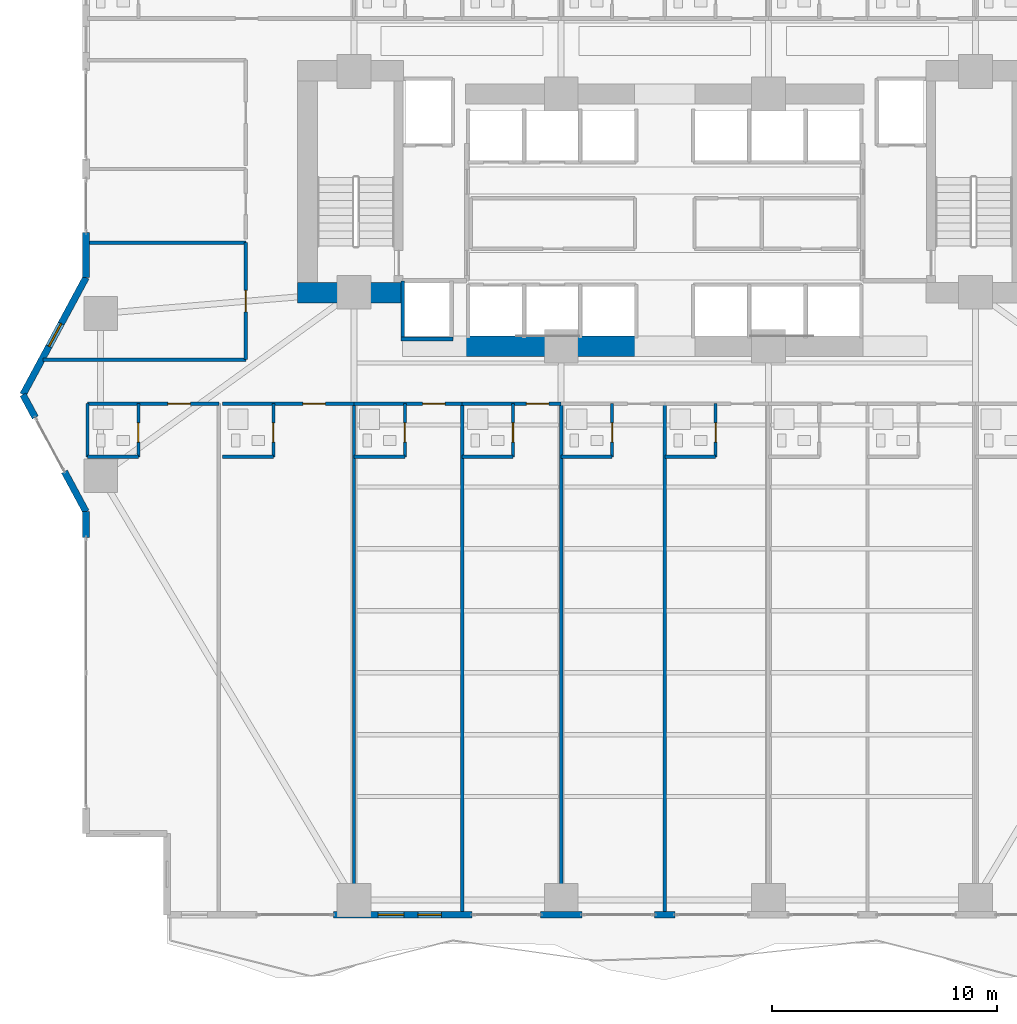
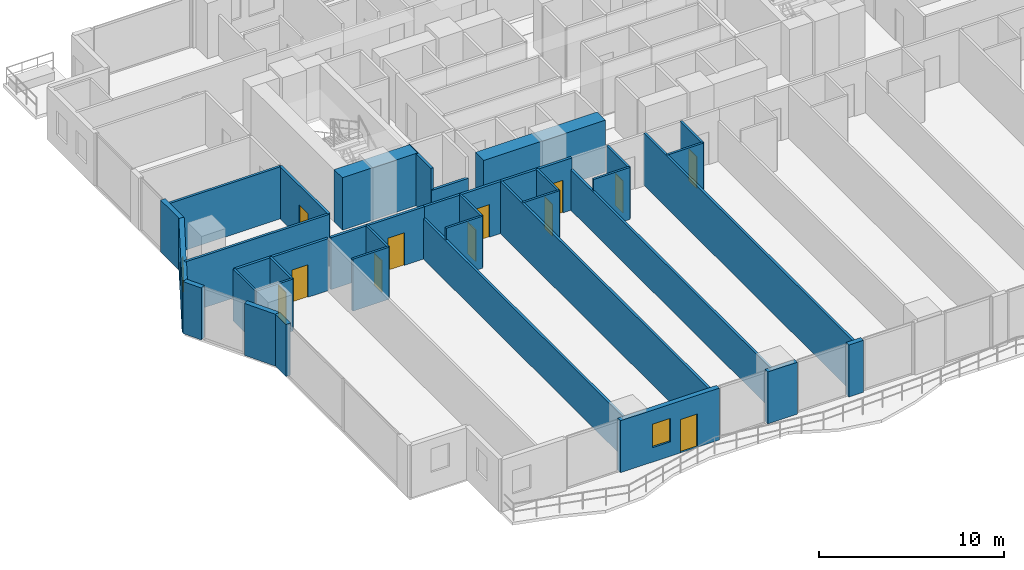
# One storey, part 19 of 29: 36 walls, 12 doors, 2 windows, 14 openings.
"""IFC4 building model written with IfcOpenShell, lengths in metres."""

from ifc_helpers import new_model, si_unit, direction, frame, frame_2d, origin, place, context, subcontext, project, spatial, rectangle, extrude, material, layer, layer_set, type_object, element, fill, save


model = new_model("IFC4")

# Units and contexts
model_context = context("Model", 3, precision=1e-05, world=origin(), true_north=direction((0.0, 1.0)))
body_context = subcontext(model_context, "Body", "Model", "MODEL_VIEW")
ifc_project = project(units=[si_unit("LENGTHUNIT", "METRE"), si_unit("AREAUNIT", "SQUARE_METRE"), si_unit("VOLUMEUNIT", "CUBIC_METRE"), si_unit("PLANEANGLEUNIT", "RADIAN"), si_unit("MASSUNIT", "GRAM", prefix="KILO")], contexts=[model_context])

# Site, building, storey
site_placement = place(None, origin())
site = spatial("IfcSite", under=ifc_project, at=site_placement, CompositionType="ELEMENT")
building_placement = place(site_placement, origin())
building = spatial("IfcBuilding", under=site, at=building_placement, Name="Zuhayl Quay Hotel", CompositionType="ELEMENT")
storey_placement = place(building_placement, frame((0.0, 0.0, 60.449951171875)))
storey = spatial("IfcBuildingStorey", under=building, at=storey_placement, Name="L14", CompositionType="ELEMENT", Elevation=60.449951171875)

# Walls
ifc_material_1 = material(Name="Concrete C70/85", Category="concrete")
ifc_layer_1 = layer(ifc_material_1, 0.89990234375, Name="Concrete C70/85", Category="concrete")
ifc_layer_set_1 = layer_set([ifc_layer_1], Name="Concrete C70/85")
wall_type_1 = type_object("IfcWallType", Name="WL_CORE_900", PredefinedType="SHEAR", material=ifc_layer_set_1)
wall_1_placement = place(storey_placement, frame((-16.31005859375, 4.52001953125, 0.0), z_axis=(0.0, 0.0, 1.0), x_axis=(1.0, 0.0, 0.0)))
element("IfcWall", 1, at=wall_1_placement, inside=storey, type_object=wall_type_1, Name="L14 Core Shear Wall CW_SW", PredefinedType="SHEAR", context=body_context, shape_type="SweptSolid", body=[
    extrude(rectangle(XDim=4.7099609375, YDim=0.89990234375, at=frame_2d((2.35498046875, 0.0))), origin(), (0.0, 0.0, 1.0), 3.4599609375),
])
wall_2_placement = place(storey_placement, frame((-8.85009765625, 2.14990234375, 0.0), z_axis=(0.0, 0.0, 1.0), x_axis=(1.0, 0.0, 0.0)))
element("IfcWall", 2, at=wall_2_placement, inside=storey, type_object=wall_type_1, Name="L14 Core Shear Wall CW_SC_W", PredefinedType="SHEAR", context=body_context, shape_type="SweptSolid", body=[
    extrude(rectangle(XDim=7.60009765625, YDim=0.89990234375, at=frame_2d((3.800048828125, 0.0))), origin(), (0.0, 0.0, 1.0), 3.429931640625),
])
ifc_material_2 = material(Name="Precast concrete C45/55", Category="concrete")
ifc_layer_2 = layer(ifc_material_2, 0.300048828125, Name="Precast concrete C45/55", Category="concrete")
ifc_layer_set_2 = layer_set([ifc_layer_2], Name="Precast concrete C45/55")
wall_type_2 = type_object("IfcWallType", Name="WL_EXT_300", PredefinedType="STANDARD", material=ifc_layer_set_2)
wall_3_placement = place(storey_placement, frame((-25.699951171875, -6.35009765625, 0.0), z_axis=(0.0, 0.0, 1.0), x_axis=(0.0, 1.0, 0.0)))
element("IfcWall", 3, at=wall_3_placement, inside=storey, type_object=wall_type_2, Name="L14 Exterior Precast Wall ENV_L14_E02_EW2", PredefinedType="STANDARD", context=body_context, shape_type="SweptSolid", body=[
    extrude(rectangle(XDim=1.150146484375, YDim=0.300048828125, at=frame_2d((0.5751953125, 0.0))), origin(), (0.0, 0.0, 1.0), 3.429931640625),
])
wall_4_placement = place(storey_placement, frame((-25.699951171875, -5.199951171875, 0.0), z_axis=(0.0, 0.0, 1.0), x_axis=(-0.474121438562, 0.88045946045, 0.0)))
element("IfcWall", 4, at=wall_4_placement, inside=storey, type_object=wall_type_2, Name="L14 Exterior Precast Wall ENV_L14_E03_EW1", PredefinedType="STANDARD", context=body_context, shape_type="SweptSolid", body=[
    extrude(rectangle(XDim=2.0205078125, YDim=0.300048828125, at=frame_2d((1.01025390625, 0.0))), origin(), (0.0, 0.0, 1.0), 3.429931640625),
])
wall_5_placement = place(storey_placement, frame((-27.954833984375, -1.012451171875, 0.0), z_axis=(0.0, 0.0, 1.0), x_axis=(-0.474099823035, 0.880471099922, 0.0)))
element("IfcWall", 5, at=wall_5_placement, inside=storey, type_object=wall_type_2, Name="L14 Exterior Precast Wall ENV_L14_E03_EW2", PredefinedType="STANDARD", context=body_context, shape_type="SweptSolid", body=[
    extrude(rectangle(XDim=1.14990234375, YDim=0.300048828125, at=frame_2d((0.574951171875, 0.0))), origin(), (0.0, 0.0, 1.0), 3.429931640625),
])

# Wall, opening, window
wall_6_placement = place(storey_placement, frame((-28.5, 0.0, 0.0), z_axis=(0.0, 0.0, 1.0), x_axis=(0.474109683532, 0.880465790352, 0.0)))
wall_6 = element("IfcWall", 6, at=wall_6_placement, inside=storey, type_object=wall_type_2, Name="L14 Exterior Precast Wall ENV_L14_E04_EW1", PredefinedType="STANDARD", context=body_context, shape_type="SweptSolid", body=[
    extrude(rectangle(XDim=5.906005859375, YDim=0.300048828125, at=frame_2d((2.953125, 0.0))), origin(), (0.0, 0.0, 1.0), 3.429931640625),
])
opening_1_placement = place(wall_6_placement, frame((2.43212890625, 0.0, 0.949951171875)))
opening_1 = element("IfcOpeningElement", 7, at=opening_1_placement, cuts=wall_6, Name="Opening W01N", PredefinedType="OPENING", context=body_context, shape_type="SweptSolid", body=[
    extrude(rectangle(XDim=1.14990234375, YDim=1.550048828125, at=frame_2d((0.574951171875, 0.77490234375))), frame((0.0, 0.159912109375, 0.0), z_axis=(0.0, -1.0, 0.0), x_axis=(1.0, 0.0, 0.0)), (0.0, 0.0, 1.0), 0.320068359375),
])
ifc_material_3 = material(Name="Dark Ceramic-Fritted Solar Glass", Category="glass")
window_type = type_object("IfcWindowType", Name="WN_NOTCH_1350", PartitioningType="SINGLE_PANEL", PredefinedType="WINDOW", material=ifc_material_3)
window_1_placement = place(opening_1_placement, origin())
window_1 = element("IfcWindow", 8, at=window_1_placement, inside=storey, type_object=window_type, Name="L14 Operable Facade Window 1-1", OverallHeight=1.550048828125, OverallWidth=1.14990234375, PartitioningType="SINGLE_PANEL", PredefinedType="WINDOW", context=body_context, shape_type="SweptSolid", body=[
    extrude(rectangle(XDim=1.14990234375, YDim=1.550048828125, at=frame_2d((0.574951171875, 0.77490234375))), frame((0.0, 0.030029296875, 0.0), z_axis=(0.0, -1.0, 0.0), x_axis=(1.0, 0.0, 0.0)), (0.0, 0.0, 1.0), 0.06005859375),
])
fill(opening_1, window_1)

# Walls
wall_7_placement = place(storey_placement, frame((-25.699951171875, 5.199951171875, 0.0), z_axis=(0.0, 0.0, 1.0), x_axis=(0.0, 1.0, 0.0)))
element("IfcWall", 9, at=wall_7_placement, inside=storey, type_object=wall_type_2, Name="L14 Exterior Precast Wall ENV_L14_E05_EW1", PredefinedType="STANDARD", context=body_context, shape_type="SweptSolid", body=[
    extrude(rectangle(XDim=2.0, YDim=0.300048828125, at=frame_2d((1.0, 0.0))), origin(), (0.0, 0.0, 1.0), 3.429931640625),
])
wall_8_placement = place(storey_placement, frame((0.449951171875, -23.10009765625, 0.0), z_axis=(0.0, 0.0, 1.0), x_axis=(-1.0, 0.0, 0.0)))
element("IfcWall", 10, at=wall_8_placement, inside=storey, type_object=wall_type_2, Name="L14 Exterior Precast Wall ENV_L14_S_EW5", PredefinedType="STANDARD", context=body_context, shape_type="SweptSolid", body=[
    extrude(rectangle(XDim=0.89990234375, YDim=0.300048828125, at=frame_2d((0.449951171875, 0.0))), origin(), (0.0, 0.0, 1.0), 3.429931640625),
])
wall_9_placement = place(storey_placement, frame((-3.679931640625, -23.10009765625, 0.0), z_axis=(0.0, 0.0, 1.0), x_axis=(-1.0, 0.0, 0.0)))
element("IfcWall", 11, at=wall_9_placement, inside=storey, type_object=wall_type_2, Name="L14 Exterior Precast Wall ENV_L14_S_EW6", PredefinedType="STANDARD", context=body_context, shape_type="SweptSolid", body=[
    extrude(rectangle(XDim=1.840087890625, YDim=0.300048828125, at=frame_2d((0.919921875, 0.0))), origin(), (0.0, 0.0, 1.0), 3.429931640625),
])

# Wall, openings, door, window
wall_10_placement = place(storey_placement, frame((-8.550048828125, -23.10009765625, 0.0), z_axis=(0.0, 0.0, 1.0), x_axis=(-1.0, 0.0, 0.0)))
wall_10 = element("IfcWall", 12, at=wall_10_placement, inside=storey, type_object=wall_type_2, Name="L14 Exterior Precast Wall ENV_L14_S_EW7", PredefinedType="STANDARD", context=body_context, shape_type="SweptSolid", body=[
    extrude(rectangle(XDim=6.169921875, YDim=0.300048828125, at=frame_2d((3.0849609375, 0.0))), origin(), (0.0, 0.0, 1.0), 3.429931640625),
])
opening_2_placement = place(wall_10_placement, frame((1.364990234375, 0.0, 0.0)))
opening_2 = element("IfcOpeningElement", 13, at=opening_2_placement, cuts=wall_10, Name="Opening DG1", PredefinedType="OPENING", context=body_context, shape_type="SweptSolid", body=[
    extrude(rectangle(XDim=1.050048828125, YDim=2.199951171875, at=frame_2d((0.52490234375, 1.10009765625))), frame((0.0, 0.159912109375, 0.0), z_axis=(0.0, -1.0, 0.0), x_axis=(1.0, 0.0, 0.0)), (0.0, 0.0, 1.0), 0.320068359375),
])
opening_3_placement = place(wall_10_placement, frame((3.032470703125, 0.0, 0.949951171875)))
opening_3 = element("IfcOpeningElement", 14, at=opening_3_placement, cuts=wall_10, Name="Opening W01N", PredefinedType="OPENING", context=body_context, shape_type="SweptSolid", body=[
    extrude(rectangle(XDim=1.14990234375, YDim=1.550048828125, at=frame_2d((0.574951171875, 0.77490234375))), frame((0.0, 0.159912109375, 0.0), z_axis=(0.0, -1.0, 0.0), x_axis=(1.0, 0.0, 0.0)), (0.0, 0.0, 1.0), 0.320068359375),
])
ifc_material_4 = material(Name="Anodised Aluminium and Dark Solar Glass", Category="aluminium")
door_type_1 = type_object("IfcDoorType", Name="DR_EXT_TERR_1050", OperationType="NOTDEFINED", PredefinedType="DOOR", material=ifc_material_4)
door_1_placement = place(opening_2_placement, origin())
door_1 = element("IfcDoor", 15, at=door_1_placement, inside=storey, type_object=door_type_1, Name="L14 South Rippling Balcony Door", OperationType="SINGLE_SWING_RIGHT", OverallHeight=2.199951171875, OverallWidth=1.050048828125, PredefinedType="DOOR", context=body_context, shape_type="SweptSolid", body=[
    extrude(rectangle(XDim=1.050048828125, YDim=2.199951171875, at=frame_2d((0.52490234375, 1.10009765625))), frame((0.0, 0.02490234375, 0.0), z_axis=(0.0, -1.0, 0.0), x_axis=(1.0, 0.0, 0.0)), (0.0, 0.0, 1.0), 0.050048828125),
])
fill(opening_2, door_1)
window_2_placement = place(opening_3_placement, origin())
window_2 = element("IfcWindow", 16, at=window_2_placement, inside=storey, type_object=window_type, Name="L14 Operable Facade Window 7-1", OverallHeight=1.550048828125, OverallWidth=1.14990234375, PartitioningType="SINGLE_PANEL", PredefinedType="WINDOW", context=body_context, shape_type="SweptSolid", body=[
    extrude(rectangle(XDim=1.14990234375, YDim=1.550048828125, at=frame_2d((0.574951171875, 0.77490234375))), frame((0.0, 0.030029296875, 0.0), z_axis=(0.0, -1.0, 0.0), x_axis=(1.0, 0.0, 0.0)), (0.0, 0.0, 1.0), 0.06005859375),
])
fill(opening_3, window_2)

# Walls
ifc_material_5 = material(Name="Acoustic Gypsum Partition STC-58")
ifc_layer_3 = layer(ifc_material_5, 0.14990234375, Name="Acoustic Gypsum Partition STC-58")
ifc_layer_set_3 = layer_set([ifc_layer_3], Name="Acoustic Gypsum Partition STC-58")
wall_type_3 = type_object("IfcWallType", Name="WL_PART_150", PredefinedType="PARTITIONING", material=ifc_layer_set_3)
wall_11_placement = place(storey_placement, frame((-13.800048828125, -23.02001953125, 0.0), z_axis=(0.0, 0.0, 1.0), x_axis=(0.0, 1.0, 0.0)))
element("IfcWall", 17, at=wall_11_placement, inside=storey, type_object=wall_type_3, Name="L14 Partition IW_L14_SU01B_E", PredefinedType="PARTITIONING", context=body_context, shape_type="SweptSolid", body=[
    extrude(rectangle(XDim=22.6201171875, YDim=0.14990234375, at=frame_2d((11.31005859375, 0.0))), origin(), (0.0, 0.0, 1.0), 2.66796875),
])
wall_12_placement = place(storey_placement, frame((-9.0, -23.02001953125, 0.0), z_axis=(0.0, 0.0, 1.0), x_axis=(0.0, 1.0, 0.0)))
element("IfcWall", 18, at=wall_12_placement, inside=storey, type_object=wall_type_3, Name="L14 Partition IW_L14_SU02_E", PredefinedType="PARTITIONING", context=body_context, shape_type="SweptSolid", body=[
    extrude(rectangle(XDim=22.6201171875, YDim=0.14990234375, at=frame_2d((11.31005859375, 0.0))), origin(), (0.0, 0.0, 1.0), 3.429931640625),
])
wall_13_placement = place(storey_placement, frame((-4.60009765625, -23.02001953125, 0.0), z_axis=(0.0, 0.0, 1.0), x_axis=(0.0, 1.0, 0.0)))
element("IfcWall", 19, at=wall_13_placement, inside=storey, type_object=wall_type_3, Name="L14 Partition IW_L14_SU03_E", PredefinedType="PARTITIONING", context=body_context, shape_type="SweptSolid", body=[
    extrude(rectangle(XDim=22.6201171875, YDim=0.14990234375, at=frame_2d((11.31005859375, 0.0))), origin(), (0.0, 0.0, 1.0), 2.66796875),
])
wall_14_placement = place(storey_placement, frame((0.0, -23.02001953125, 0.0), z_axis=(0.0, 0.0, 1.0), x_axis=(0.0, 1.0, 0.0)))
element("IfcWall", 20, at=wall_14_placement, inside=storey, type_object=wall_type_3, Name="L14 Partition IW_L14_SU04_E", PredefinedType="PARTITIONING", context=body_context, shape_type="SweptSolid", body=[
    extrude(rectangle(XDim=22.6201171875, YDim=0.14990234375, at=frame_2d((11.31005859375, 0.0))), origin(), (0.0, 0.0, 1.0), 3.429931640625),
])
wall_15_placement = place(storey_placement, frame((-27.60546875, 1.550048828125, 0.0), z_axis=(0.0, 0.0, 1.0), x_axis=(1.0, 0.0, 0.0)))
element("IfcWall", 21, at=wall_15_placement, inside=storey, type_object=wall_type_3, Name="L14 Partition IW_L14_WPROW_1_S", PredefinedType="PARTITIONING", context=body_context, shape_type="SweptSolid", body=[
    extrude(rectangle(XDim=9.00537109375, YDim=0.14990234375, at=frame_2d((4.502685546875, 0.0))), origin(), (0.0, 0.0, 1.0), 3.429931640625),
])
wall_16_placement = place(storey_placement, frame((-25.639892578125, 6.75, 0.0), z_axis=(0.0, 0.0, 1.0), x_axis=(1.0, 0.0, 0.0)))
element("IfcWall", 22, at=wall_16_placement, inside=storey, type_object=wall_type_3, Name="L14 Partition IW_L14_WPROW_1_N", PredefinedType="PARTITIONING", context=body_context, shape_type="SweptSolid", body=[
    extrude(rectangle(XDim=7.039794921875, YDim=0.14990234375, at=frame_2d((3.52001953125, 0.0))), origin(), (0.0, 0.0, 1.0), 3.429931640625),
])

# Wall, opening, door
ifc_layer_4 = layer(ifc_material_5, 0.159912109375, Name="Acoustic Gypsum Partition STC-58")
ifc_layer_set_4 = layer_set([ifc_layer_4], Name="Acoustic Gypsum Partition STC-58")
wall_type_4 = type_object("IfcWallType", Name="WL_PART_CORR_160", PredefinedType="PARTITIONING", material=ifc_layer_set_4)
wall_17_placement = place(storey_placement, frame((-25.639892578125, -0.39990234375, 0.0), z_axis=(0.0, 0.0, 1.0), x_axis=(1.0, 0.0, 0.0)))
wall_17 = element("IfcWall", 23, at=wall_17_placement, inside=storey, type_object=wall_type_4, Name="L14 Partition IW_L14_SU01A_COR", PredefinedType="PARTITIONING", context=body_context, shape_type="SweptSolid", body=[
    extrude(rectangle(XDim=5.83984375, YDim=0.159912109375, at=frame_2d((2.919921875, 0.0))), origin(), (0.0, 0.0, 1.0), 3.429931640625),
])
opening_4_placement = place(wall_17_placement, frame((3.570068359375, 0.0, 0.0)))
opening_4 = element("IfcOpeningElement", 24, at=opening_4_placement, cuts=wall_17, Name="Opening D03L", PredefinedType="OPENING", context=body_context, shape_type="SweptSolid", body=[
    extrude(rectangle(XDim=1.0, YDim=2.14990234375, at=frame_2d((0.5, 1.074951171875))), frame((0.0, 0.08984375, 0.0), z_axis=(0.0, -1.0, 0.0), x_axis=(1.0, 0.0, 0.0)), (0.0, 0.0, 1.0), 0.179931640625),
])
ifc_material_6 = material(Name="Solid Walnut Acoustic Fire Door")
door_type_2 = type_object("IfcDoorType", Name="DR_SUITE_1000", OperationType="NOTDEFINED", PredefinedType="DOOR", material=ifc_material_6)
door_2_placement = place(opening_4_placement, origin())
door_2 = element("IfcDoor", 25, at=door_2_placement, inside=storey, type_object=door_type_2, Name="L14 Premier Twin Junior Suite L14-01A Entrance Door", OperationType="SINGLE_SWING_RIGHT", OverallHeight=2.14990234375, OverallWidth=1.0, PredefinedType="DOOR", context=body_context, shape_type="SweptSolid", body=[
    extrude(rectangle(XDim=1.0, YDim=2.14990234375, at=frame_2d((0.5, 1.074951171875))), frame((0.0, 0.02490234375, 0.0), z_axis=(0.0, -1.0, 0.0), x_axis=(1.0, 0.0, 0.0)), (0.0, 0.0, 1.0), 0.050048828125),
])
fill(opening_4, door_2)

wall_18_placement = place(storey_placement, frame((-19.639892578125, -0.39990234375, 0.0), z_axis=(0.0, 0.0, 1.0), x_axis=(1.0, 0.0, 0.0)))
wall_18 = element("IfcWall", 26, at=wall_18_placement, inside=storey, type_object=wall_type_4, Name="L14 Partition IW_L14_SU01B_COR", PredefinedType="PARTITIONING", context=body_context, shape_type="SweptSolid", body=[
    extrude(rectangle(XDim=5.83984375, YDim=0.159912109375, at=frame_2d((2.919921875, 0.0))), origin(), (0.0, 0.0, 1.0), 3.429931640625),
])
opening_5_placement = place(wall_18_placement, frame((3.570068359375, 0.0, 0.0)))
opening_5 = element("IfcOpeningElement", 27, at=opening_5_placement, cuts=wall_18, Name="Opening D03L", PredefinedType="OPENING", context=body_context, shape_type="SweptSolid", body=[
    extrude(rectangle(XDim=1.0, YDim=2.14990234375, at=frame_2d((0.5, 1.074951171875))), frame((0.0, 0.08984375, 0.0), z_axis=(0.0, -1.0, 0.0), x_axis=(1.0, 0.0, 0.0)), (0.0, 0.0, 1.0), 0.179931640625),
])
door_3_placement = place(opening_5_placement, origin())
door_3 = element("IfcDoor", 28, at=door_3_placement, inside=storey, type_object=door_type_2, Name="L14 Premier Twin Junior Suite L14-01B Entrance Door", OperationType="SINGLE_SWING_RIGHT", OverallHeight=2.14990234375, OverallWidth=1.0, PredefinedType="DOOR", context=body_context, shape_type="SweptSolid", body=[
    extrude(rectangle(XDim=1.0, YDim=2.14990234375, at=frame_2d((0.5, 1.074951171875))), frame((0.0, 0.02490234375, 0.0), z_axis=(0.0, -1.0, 0.0), x_axis=(1.0, 0.0, 0.0)), (0.0, 0.0, 1.0), 0.050048828125),
])
fill(opening_5, door_3)

wall_19_placement = place(storey_placement, frame((-13.800048828125, -0.39990234375, 0.0), z_axis=(0.0, 0.0, 1.0), x_axis=(1.0, 0.0, 0.0)))
wall_19 = element("IfcWall", 29, at=wall_19_placement, inside=storey, type_object=wall_type_4, Name="L14 Partition IW_L14_SU02_COR", PredefinedType="PARTITIONING", context=body_context, shape_type="SweptSolid", body=[
    extrude(rectangle(XDim=4.800048828125, YDim=0.159912109375, at=frame_2d((2.39990234375, 0.0))), origin(), (0.0, 0.0, 1.0), 3.429931640625),
])
opening_6_placement = place(wall_19_placement, frame((3.050048828125, 0.0, 0.0)))
opening_6 = element("IfcOpeningElement", 30, at=opening_6_placement, cuts=wall_19, Name="Opening D03L", PredefinedType="OPENING", context=body_context, shape_type="SweptSolid", body=[
    extrude(rectangle(XDim=1.0, YDim=2.14990234375, at=frame_2d((0.5, 1.074951171875))), frame((0.0, 0.08984375, 0.0), z_axis=(0.0, -1.0, 0.0), x_axis=(1.0, 0.0, 0.0)), (0.0, 0.0, 1.0), 0.179931640625),
])
door_4_placement = place(opening_6_placement, origin())
door_4 = element("IfcDoor", 31, at=door_4_placement, inside=storey, type_object=door_type_2, Name="L14 Premier Twin Junior Suite L14-02 Entrance Door", OperationType="SINGLE_SWING_RIGHT", OverallHeight=2.14990234375, OverallWidth=1.0, PredefinedType="DOOR", context=body_context, shape_type="SweptSolid", body=[
    extrude(rectangle(XDim=1.0, YDim=2.14990234375, at=frame_2d((0.5, 1.074951171875))), frame((0.0, 0.02490234375, 0.0), z_axis=(0.0, -1.0, 0.0), x_axis=(1.0, 0.0, 0.0)), (0.0, 0.0, 1.0), 0.050048828125),
])
fill(opening_6, door_4)

wall_20_placement = place(storey_placement, frame((-9.0, -0.39990234375, 0.0), z_axis=(0.0, 0.0, 1.0), x_axis=(1.0, 0.0, 0.0)))
wall_20 = element("IfcWall", 32, at=wall_20_placement, inside=storey, type_object=wall_type_4, Name="L14 Partition IW_L14_SU03_COR", PredefinedType="PARTITIONING", context=body_context, shape_type="SweptSolid", body=[
    extrude(rectangle(XDim=4.39990234375, YDim=0.159912109375, at=frame_2d((2.199951171875, 0.0))), origin(), (0.0, 0.0, 1.0), 3.429931640625),
])
opening_7_placement = place(wall_20_placement, frame((2.85009765625, 0.0, 0.0)))
opening_7 = element("IfcOpeningElement", 33, at=opening_7_placement, cuts=wall_20, Name="Opening D03L", PredefinedType="OPENING", context=body_context, shape_type="SweptSolid", body=[
    extrude(rectangle(XDim=1.0, YDim=2.14990234375, at=frame_2d((0.5, 1.074951171875))), frame((0.0, 0.08984375, 0.0), z_axis=(0.0, -1.0, 0.0), x_axis=(1.0, 0.0, 0.0)), (0.0, 0.0, 1.0), 0.179931640625),
])
door_5_placement = place(opening_7_placement, origin())
door_5 = element("IfcDoor", 34, at=door_5_placement, inside=storey, type_object=door_type_2, Name="L14 Premier Twin Junior Suite L14-03 Entrance Door", OperationType="SINGLE_SWING_RIGHT", OverallHeight=2.14990234375, OverallWidth=1.0, PredefinedType="DOOR", context=body_context, shape_type="SweptSolid", body=[
    extrude(rectangle(XDim=1.0, YDim=2.14990234375, at=frame_2d((0.5, 1.074951171875))), frame((0.0, 0.02490234375, 0.0), z_axis=(0.0, -1.0, 0.0), x_axis=(1.0, 0.0, 0.0)), (0.0, 0.0, 1.0), 0.050048828125),
])
fill(opening_7, door_5)

wall_21_placement = place(storey_placement, frame((-18.60009765625, 1.550048828125, 0.0), z_axis=(0.0, 0.0, 1.0), x_axis=(0.0, 1.0, 0.0)))
wall_21 = element("IfcWall", 35, at=wall_21_placement, inside=storey, type_object=wall_type_4, Name="L14 Partition IW_L14_WPROW_1_E", PredefinedType="PARTITIONING", context=body_context, shape_type="SweptSolid", body=[
    extrude(rectangle(XDim=5.199951171875, YDim=0.159912109375, at=frame_2d((2.60009765625, 0.0))), origin(), (0.0, 0.0, 1.0), 3.429931640625),
])
opening_8_placement = place(wall_21_placement, frame((2.125, 0.0, 0.0)))
opening_8 = element("IfcOpeningElement", 36, at=opening_8_placement, cuts=wall_21, Name="Opening D03", PredefinedType="OPENING", context=body_context, shape_type="SweptSolid", body=[
    extrude(rectangle(XDim=0.949951171875, YDim=2.14990234375, at=frame_2d((0.47509765625, 1.074951171875))), frame((0.0, 0.08984375, 0.0), z_axis=(0.0, -1.0, 0.0), x_axis=(1.0, 0.0, 0.0)), (0.0, 0.0, 1.0), 0.179931640625),
])
door_type_3 = type_object("IfcDoorType", Name="DR_SUITE_950", OperationType="NOTDEFINED", PredefinedType="DOOR", material=ifc_material_6)
door_6_placement = place(opening_8_placement, origin())
door_6 = element("IfcDoor", 37, at=door_6_placement, inside=storey, type_object=door_type_3, Name="L14 West Prow Office L14 Door", OperationType="SINGLE_SWING_RIGHT", OverallHeight=2.14990234375, OverallWidth=0.949951171875, PredefinedType="DOOR", context=body_context, shape_type="SweptSolid", body=[
    extrude(rectangle(XDim=0.949951171875, YDim=2.14990234375, at=frame_2d((0.47509765625, 1.074951171875))), frame((0.0, 0.02490234375, 0.0), z_axis=(0.0, -1.0, 0.0), x_axis=(1.0, 0.0, 0.0)), (0.0, 0.0, 1.0), 0.050048828125),
])
fill(opening_8, door_6)

ifc_material_7 = material(Name="Moisture-Resistant Sanitarychase Gypsum")
ifc_layer_5 = layer(ifc_material_7, 0.135009765625, Name="Moisture-Resistant Sanitarychase Gypsum")
ifc_layer_set_5 = layer_set([ifc_layer_5], Name="Moisture-Resistant Sanitarychase Gypsum")
wall_type_5 = type_object("IfcWallType", Name="WL_PART_PLUMB_150", PredefinedType="PLUMBINGWALL", material=ifc_layer_set_5)
wall_22_placement = place(storey_placement, frame((-23.3798828125, -2.760009765625, 0.0), z_axis=(0.0, 0.0, 1.0), x_axis=(0.0, 1.0, 0.0)))
wall_22 = element("IfcWall", 38, at=wall_22_placement, inside=storey, type_object=wall_type_5, Name="L14 Partition IW_L14_SU01A_BE", PredefinedType="PLUMBINGWALL", context=body_context, shape_type="SweptSolid", body=[
    extrude(rectangle(XDim=2.360107421875, YDim=0.135009765625, at=frame_2d((1.18017578125, 0.0))), origin(), (0.0, 0.0, 1.0), 3.429931640625),
])
opening_9_placement = place(wall_22_placement, frame((0.64990234375, 0.0, 0.0)))
opening_9 = element("IfcOpeningElement", 39, at=opening_9_placement, cuts=wall_22, Name="Opening D04", PredefinedType="OPENING", context=body_context, shape_type="SweptSolid", body=[
    extrude(rectangle(XDim=0.85009765625, YDim=2.10009765625, at=frame_2d((0.425048828125, 1.050048828125))), frame((0.0, 0.077392578125, 0.0), z_axis=(0.0, -1.0, 0.0), x_axis=(1.0, 0.0, 0.0)), (0.0, 0.0, 1.0), 0.155029296875),
])
ifc_material_8 = material(Name="Moisture-Resistant Walnut Veneer")
door_type_4 = type_object("IfcDoorType", Name="DR_BATH_850", OperationType="NOTDEFINED", PredefinedType="DOOR", material=ifc_material_8)
door_7_placement = place(opening_9_placement, origin())
door_7 = element("IfcDoor", 40, at=door_7_placement, inside=storey, type_object=door_type_4, Name="L14 Premier Twin Junior Suite L14-01A En-Suite Door", OperationType="SINGLE_SWING_LEFT", OverallHeight=2.10009765625, OverallWidth=0.85009765625, PredefinedType="DOOR", context=body_context, shape_type="SweptSolid", body=[
    extrude(rectangle(XDim=0.85009765625, YDim=2.10009765625, at=frame_2d((0.425048828125, 1.050048828125))), frame((0.0, 0.02490234375, 0.0), z_axis=(0.0, -1.0, 0.0), x_axis=(1.0, 0.0, 0.0)), (0.0, 0.0, 1.0), 0.050048828125),
])
fill(opening_9, door_7)

wall_23_placement = place(storey_placement, frame((-17.3798828125, -2.760009765625, 0.0), z_axis=(0.0, 0.0, 1.0), x_axis=(0.0, 1.0, 0.0)))
wall_23 = element("IfcWall", 41, at=wall_23_placement, inside=storey, type_object=wall_type_5, Name="L14 Partition IW_L14_SU01B_BE", PredefinedType="PLUMBINGWALL", context=body_context, shape_type="SweptSolid", body=[
    extrude(rectangle(XDim=2.360107421875, YDim=0.135009765625, at=frame_2d((1.18017578125, 0.0))), origin(), (0.0, 0.0, 1.0), 3.429931640625),
])
opening_10_placement = place(wall_23_placement, frame((0.64990234375, 0.0, 0.0)))
opening_10 = element("IfcOpeningElement", 42, at=opening_10_placement, cuts=wall_23, Name="Opening D04", PredefinedType="OPENING", context=body_context, shape_type="SweptSolid", body=[
    extrude(rectangle(XDim=0.85009765625, YDim=2.10009765625, at=frame_2d((0.425048828125, 1.050048828125))), frame((0.0, 0.077392578125, 0.0), z_axis=(0.0, -1.0, 0.0), x_axis=(1.0, 0.0, 0.0)), (0.0, 0.0, 1.0), 0.155029296875),
])
door_8_placement = place(opening_10_placement, origin())
door_8 = element("IfcDoor", 43, at=door_8_placement, inside=storey, type_object=door_type_4, Name="L14 Premier Twin Junior Suite L14-01B En-Suite Door", OperationType="SINGLE_SWING_LEFT", OverallHeight=2.10009765625, OverallWidth=0.85009765625, PredefinedType="DOOR", context=body_context, shape_type="SweptSolid", body=[
    extrude(rectangle(XDim=0.85009765625, YDim=2.10009765625, at=frame_2d((0.425048828125, 1.050048828125))), frame((0.0, 0.02490234375, 0.0), z_axis=(0.0, -1.0, 0.0), x_axis=(1.0, 0.0, 0.0)), (0.0, 0.0, 1.0), 0.050048828125),
])
fill(opening_10, door_8)

wall_24_placement = place(storey_placement, frame((-11.5400390625, -2.760009765625, 0.0), z_axis=(0.0, 0.0, 1.0), x_axis=(0.0, 1.0, 0.0)))
wall_24 = element("IfcWall", 44, at=wall_24_placement, inside=storey, type_object=wall_type_5, Name="L14 Partition IW_L14_SU02_BE", PredefinedType="PLUMBINGWALL", context=body_context, shape_type="SweptSolid", body=[
    extrude(rectangle(XDim=2.360107421875, YDim=0.135009765625, at=frame_2d((1.18017578125, 0.0))), origin(), (0.0, 0.0, 1.0), 3.429931640625),
])
opening_11_placement = place(wall_24_placement, frame((0.64990234375, 0.0, 0.0)))
opening_11 = element("IfcOpeningElement", 45, at=opening_11_placement, cuts=wall_24, Name="Opening D04", PredefinedType="OPENING", context=body_context, shape_type="SweptSolid", body=[
    extrude(rectangle(XDim=0.85009765625, YDim=2.10009765625, at=frame_2d((0.425048828125, 1.050048828125))), frame((0.0, 0.077392578125, 0.0), z_axis=(0.0, -1.0, 0.0), x_axis=(1.0, 0.0, 0.0)), (0.0, 0.0, 1.0), 0.155029296875),
])
door_9_placement = place(opening_11_placement, origin())
door_9 = element("IfcDoor", 46, at=door_9_placement, inside=storey, type_object=door_type_4, Name="L14 Premier Twin Junior Suite L14-02 En-Suite Door", OperationType="SINGLE_SWING_LEFT", OverallHeight=2.10009765625, OverallWidth=0.85009765625, PredefinedType="DOOR", context=body_context, shape_type="SweptSolid", body=[
    extrude(rectangle(XDim=0.85009765625, YDim=2.10009765625, at=frame_2d((0.425048828125, 1.050048828125))), frame((0.0, 0.02490234375, 0.0), z_axis=(0.0, -1.0, 0.0), x_axis=(1.0, 0.0, 0.0)), (0.0, 0.0, 1.0), 0.050048828125),
])
fill(opening_11, door_9)

wall_25_placement = place(storey_placement, frame((-6.739990234375, -2.760009765625, 0.0), z_axis=(0.0, 0.0, 1.0), x_axis=(0.0, 1.0, 0.0)))
wall_25 = element("IfcWall", 47, at=wall_25_placement, inside=storey, type_object=wall_type_5, Name="L14 Partition IW_L14_SU03_BE", PredefinedType="PLUMBINGWALL", context=body_context, shape_type="SweptSolid", body=[
    extrude(rectangle(XDim=2.360107421875, YDim=0.135009765625, at=frame_2d((1.18017578125, 0.0))), origin(), (0.0, 0.0, 1.0), 3.429931640625),
])
opening_12_placement = place(wall_25_placement, frame((0.64990234375, 0.0, 0.0)))
opening_12 = element("IfcOpeningElement", 48, at=opening_12_placement, cuts=wall_25, Name="Opening D04", PredefinedType="OPENING", context=body_context, shape_type="SweptSolid", body=[
    extrude(rectangle(XDim=0.85009765625, YDim=2.10009765625, at=frame_2d((0.425048828125, 1.050048828125))), frame((0.0, 0.077392578125, 0.0), z_axis=(0.0, -1.0, 0.0), x_axis=(1.0, 0.0, 0.0)), (0.0, 0.0, 1.0), 0.155029296875),
])
door_10_placement = place(opening_12_placement, origin())
door_10 = element("IfcDoor", 49, at=door_10_placement, inside=storey, type_object=door_type_4, Name="L14 Premier Twin Junior Suite L14-03 En-Suite Door", OperationType="SINGLE_SWING_LEFT", OverallHeight=2.10009765625, OverallWidth=0.85009765625, PredefinedType="DOOR", context=body_context, shape_type="SweptSolid", body=[
    extrude(rectangle(XDim=0.85009765625, YDim=2.10009765625, at=frame_2d((0.425048828125, 1.050048828125))), frame((0.0, 0.02490234375, 0.0), z_axis=(0.0, -1.0, 0.0), x_axis=(1.0, 0.0, 0.0)), (0.0, 0.0, 1.0), 0.050048828125),
])
fill(opening_12, door_10)

wall_26_placement = place(storey_placement, frame((-2.340087890625, -2.760009765625, 0.0), z_axis=(0.0, 0.0, 1.0), x_axis=(0.0, 1.0, 0.0)))
wall_26 = element("IfcWall", 50, at=wall_26_placement, inside=storey, type_object=wall_type_5, Name="L14 Partition IW_L14_SU04_BE", PredefinedType="PLUMBINGWALL", context=body_context, shape_type="SweptSolid", body=[
    extrude(rectangle(XDim=2.360107421875, YDim=0.135009765625, at=frame_2d((1.18017578125, 0.0))), origin(), (0.0, 0.0, 1.0), 3.429931640625),
])
opening_13_placement = place(wall_26_placement, frame((0.64990234375, 0.0, 0.0)))
opening_13 = element("IfcOpeningElement", 51, at=opening_13_placement, cuts=wall_26, Name="Opening D04", PredefinedType="OPENING", context=body_context, shape_type="SweptSolid", body=[
    extrude(rectangle(XDim=0.85009765625, YDim=2.10009765625, at=frame_2d((0.425048828125, 1.050048828125))), frame((0.0, 0.077392578125, 0.0), z_axis=(0.0, -1.0, 0.0), x_axis=(1.0, 0.0, 0.0)), (0.0, 0.0, 1.0), 0.155029296875),
])
door_11_placement = place(opening_13_placement, origin())
door_11 = element("IfcDoor", 52, at=door_11_placement, inside=storey, type_object=door_type_4, Name="L14 Premier Twin Junior Suite L14-04 En-Suite Door", OperationType="SINGLE_SWING_LEFT", OverallHeight=2.10009765625, OverallWidth=0.85009765625, PredefinedType="DOOR", context=body_context, shape_type="SweptSolid", body=[
    extrude(rectangle(XDim=0.85009765625, YDim=2.10009765625, at=frame_2d((0.425048828125, 1.050048828125))), frame((0.0, 0.02490234375, 0.0), z_axis=(0.0, -1.0, 0.0), x_axis=(1.0, 0.0, 0.0)), (0.0, 0.0, 1.0), 0.050048828125),
])
fill(opening_13, door_11)

wall_27_placement = place(storey_placement, frame((2.260009765625, -2.760009765625, 0.0), z_axis=(0.0, 0.0, 1.0), x_axis=(0.0, 1.0, 0.0)))
wall_27 = element("IfcWall", 53, at=wall_27_placement, inside=storey, type_object=wall_type_5, Name="L14 Partition IW_L14_SU05_BE", PredefinedType="PLUMBINGWALL", context=body_context, shape_type="SweptSolid", body=[
    extrude(rectangle(XDim=2.360107421875, YDim=0.135009765625, at=frame_2d((1.18017578125, 0.0))), origin(), (0.0, 0.0, 1.0), 3.429931640625),
])
opening_14_placement = place(wall_27_placement, frame((0.64990234375, 0.0, 0.0)))
opening_14 = element("IfcOpeningElement", 54, at=opening_14_placement, cuts=wall_27, Name="Opening D04", PredefinedType="OPENING", context=body_context, shape_type="SweptSolid", body=[
    extrude(rectangle(XDim=0.85009765625, YDim=2.10009765625, at=frame_2d((0.425048828125, 1.050048828125))), frame((0.0, 0.077392578125, 0.0), z_axis=(0.0, -1.0, 0.0), x_axis=(1.0, 0.0, 0.0)), (0.0, 0.0, 1.0), 0.155029296875),
])
door_12_placement = place(opening_14_placement, origin())
door_12 = element("IfcDoor", 55, at=door_12_placement, inside=storey, type_object=door_type_4, Name="L14 Premier Twin Junior Suite L14-05 En-Suite Door", OperationType="SINGLE_SWING_LEFT", OverallHeight=2.10009765625, OverallWidth=0.85009765625, PredefinedType="DOOR", context=body_context, shape_type="SweptSolid", body=[
    extrude(rectangle(XDim=0.85009765625, YDim=2.10009765625, at=frame_2d((0.425048828125, 1.050048828125))), frame((0.0, 0.02490234375, 0.0), z_axis=(0.0, -1.0, 0.0), x_axis=(1.0, 0.0, 0.0)), (0.0, 0.0, 1.0), 0.050048828125),
])
fill(opening_14, door_12)

# Walls
wall_28_placement = place(storey_placement, frame((-25.639892578125, -2.760009765625, 0.0), z_axis=(0.0, 0.0, 1.0), x_axis=(1.0, 0.0, 0.0)))
element("IfcWall", 56, at=wall_28_placement, inside=storey, type_object=wall_type_5, Name="L14 Partition IW_L14_SU01A_BS", PredefinedType="PLUMBINGWALL", context=body_context, shape_type="SweptSolid", body=[
    extrude(rectangle(XDim=2.260009765625, YDim=0.135009765625, at=frame_2d((1.1298828125, 0.0))), origin(), (0.0, 0.0, 1.0), 3.429931640625),
])
wall_29_placement = place(storey_placement, frame((-25.639892578125, -2.760009765625, 0.0), z_axis=(0.0, 0.0, 1.0), x_axis=(0.0, 1.0, 0.0)))
element("IfcWall", 57, at=wall_29_placement, inside=storey, type_object=wall_type_5, Name="L14 Partition IW_L14_SU01A_BW", PredefinedType="PLUMBINGWALL", context=body_context, shape_type="SweptSolid", body=[
    extrude(rectangle(XDim=2.360107421875, YDim=0.135009765625, at=frame_2d((1.18017578125, 0.0))), origin(), (0.0, 0.0, 1.0), 3.429931640625),
])
for number, where, z_axis, x_axis, name in (
    (58, (-19.639892578125, -2.760009765625, 0.0), (0.0, 0.0, 1.0), (1.0, 0.0, 0.0), "L14 Partition IW_L14_SU01B_BS"),
    (59, (-13.800048828125, -2.760009765625, 0.0), (0.0, 0.0, 1.0), (1.0, 0.0, 0.0), "L14 Partition IW_L14_SU02_BS"),
    (60, (-9.0, -2.760009765625, 0.0), (0.0, 0.0, 1.0), (1.0, 0.0, 0.0), "L14 Partition IW_L14_SU03_BS"),
    (61, (-4.60009765625, -2.760009765625, 0.0), (0.0, 0.0, 1.0), (1.0, 0.0, 0.0), "L14 Partition IW_L14_SU04_BS"),
    (62, (0.0, -2.760009765625, 0.0), (0.0, 0.0, 1.0), (1.0, 0.0, 0.0), "L14 Partition IW_L14_SU05_BS"),
):
    element("IfcWall", number, at=place(storey_placement, frame(where, z_axis=z_axis, x_axis=x_axis)), inside=storey, type_object=wall_type_5, Name=name, PredefinedType="PLUMBINGWALL", context=body_context, shape_type="SweptSolid", body=[
        extrude(rectangle(XDim=2.260009765625, YDim=0.135009765625, at=frame_2d((1.1298828125, 0.0))), origin(), (0.0, 0.0, 1.0), 3.429931640625),
    ])
ifc_material_9 = material(Name="Gypsum Fireboard Assembly EI-90")
ifc_layer_6 = layer(ifc_material_9, 0.1650390625, Name="Gypsum Fireboard Assembly EI-90")
ifc_layer_set_6 = layer_set([ifc_layer_6], Name="Gypsum Fireboard Assembly EI-90")
wall_type_6 = type_object("IfcWallType", Name="WL_PART_SHAFT_160", PredefinedType="PARTITIONING", material=ifc_layer_set_6)
wall_30_placement = place(storey_placement, frame((-11.6298828125, 2.469970703125, 0.0), z_axis=(0.0, 0.0, 1.0), x_axis=(0.0, 1.0, 0.0)))
element("IfcWall", 63, at=wall_30_placement, inside=storey, type_object=wall_type_6, Name="L14 Partition IW_L14_RISER_W", PredefinedType="PARTITIONING", context=body_context, shape_type="SweptSolid", body=[
    extrude(rectangle(XDim=2.580078125, YDim=0.1650390625, at=frame_2d((1.2900390625, 0.0))), origin(), (0.0, 0.0, 1.0), 3.429931640625),
])
wall_31_placement = place(storey_placement, frame((-11.7099609375, 2.469970703125, 0.0), z_axis=(0.0, 0.0, 1.0), x_axis=(1.0, 0.0, 0.0)))
element("IfcWall", 64, at=wall_31_placement, inside=storey, type_object=wall_type_6, Name="L14 Partition IW_L14_RISER_S", PredefinedType="PARTITIONING", context=body_context, shape_type="SweptSolid", body=[
    extrude(rectangle(XDim=2.31005859375, YDim=0.1650390625, at=frame_2d((1.155029296875, 0.0))), origin(), (0.0, 0.0, 1.0), 2.030029296875),
])

save(model, "model.ifc")
